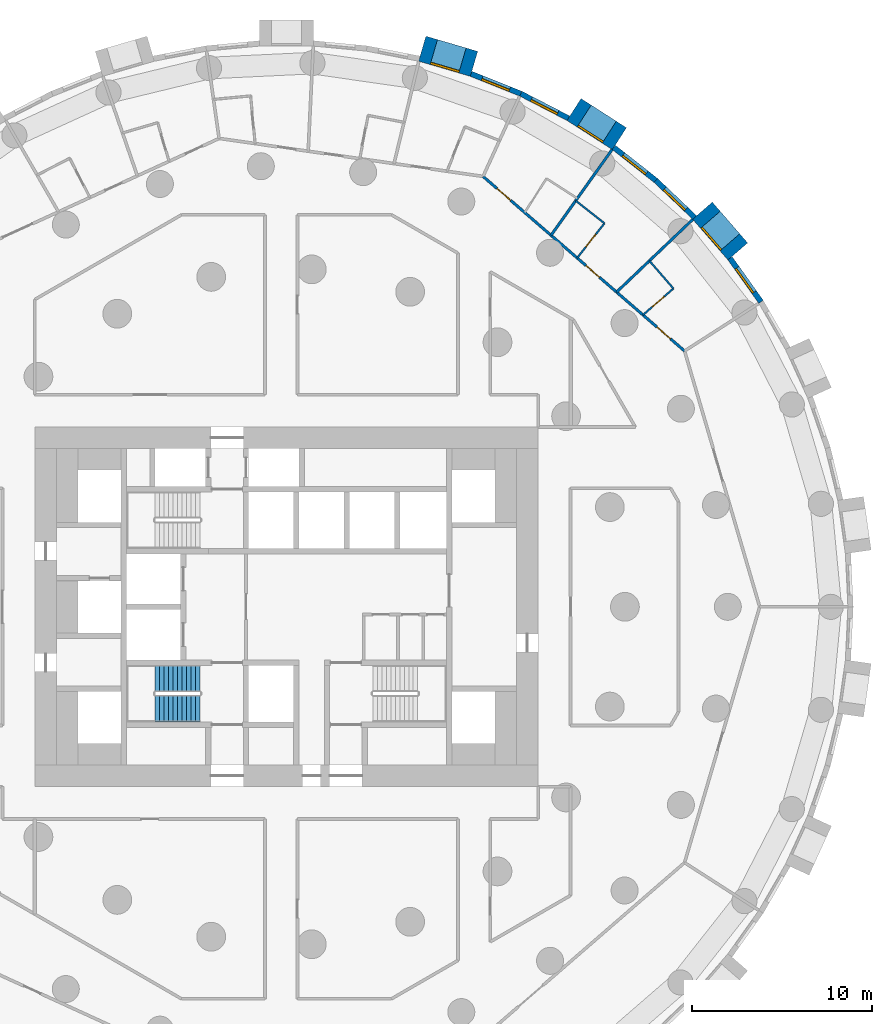
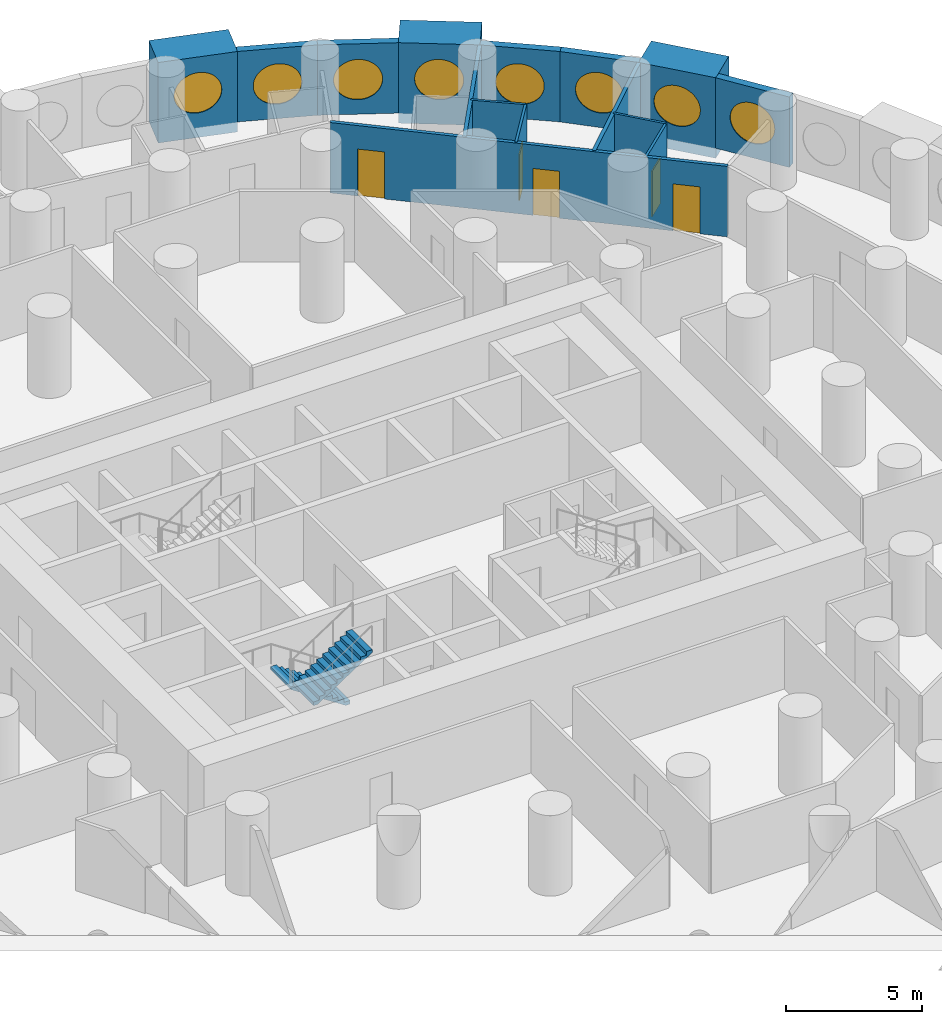
# One storey, part 10 of 12: 15 walls, 8 windows, 5 doors, 2 stair flights, 13 openings, 1 element without a shape of its own.
"""IFC4 building model written with IfcOpenShell, lengths in metres."""

from ifc_helpers import new_model, si_unit, direction, frame, frame_2d, origin, origin_2d, place, context, subcontext, project, spatial, polyline, rectangle, circle, outline, extrude, material, layer, layer_set, type_object, element, fill, aggregate, save


model = new_model("IFC4")

# Units and contexts
model_context = context("Model", 3, precision=1e-05, world=origin(), true_north=direction((0.0, 1.0)))
body_context = subcontext(model_context, "Body", "Model", "MODEL_VIEW")
ifc_project = project(units=[si_unit("LENGTHUNIT", "METRE"), si_unit("AREAUNIT", "SQUARE_METRE"), si_unit("VOLUMEUNIT", "CUBIC_METRE"), si_unit("PLANEANGLEUNIT", "RADIAN"), si_unit("MASSUNIT", "GRAM", prefix="KILO")], contexts=[model_context])

# Site, building, storey
site_placement = place(None, origin())
site = spatial("IfcSite", under=ifc_project, at=site_placement, CompositionType="ELEMENT")
building_placement = place(site_placement, origin())
building = spatial("IfcBuilding", under=site, at=building_placement, Name="Tracery Tower", CompositionType="ELEMENT")
storey_placement = place(building_placement, frame((0.0, 0.0, 57.0)))
storey = spatial("IfcBuildingStorey", under=building, at=storey_placement, Name="L13", CompositionType="ELEMENT", Elevation=57.0)

# Wall, opening, window
ifc_material_1 = material(Name="Precast concrete C50/60", Category="concrete")
ifc_layer_1 = layer(ifc_material_1, 1.449951171875)
ifc_layer_set_1 = layer_set([ifc_layer_1], Name="Deep-set bay unit 3000 x 3600, slab edge 450")
wall_type_1 = type_object("IfcWallType", Name="Deep-set bay unit 3000 x 3600, slab edge 450", PredefinedType="ELEMENTEDWALL", material=ifc_layer_set_1)
wall_1_placement = place(storey_placement, frame((25.101318359375, 19.765625, -0.449951171875), z_axis=(0.0, 0.0, 1.0), x_axis=(-0.654890259022, 0.75572398972, 0.0)))
wall_1 = element("IfcWall", 1, at=wall_1_placement, inside=storey, type_object=wall_type_1, Name="Deep-set bay unit 8 at L13", PredefinedType="ELEMENTEDWALL", context=body_context, shape_type="SweptSolid", body=[
    extrude(rectangle(XDim=3.0, YDim=1.449951171875, at=frame_2d((1.5, 0.0))), origin(), (0.0, 0.0, 1.0), 3.599853515625),
])
opening_1_placement = place(wall_1_placement, frame((1.5, 0.0, 2.0)))
opening_1 = element("IfcOpeningElement", 2, at=opening_1_placement, cuts=wall_1, Name="Opening WN1", PredefinedType="OPENING", context=body_context, shape_type="SweptSolid", body=[
    extrude(circle(Radius=0.9000244140625, at=origin_2d()), frame((0.0, 0.73486328125, 0.0), z_axis=(0.0, -1.0, 0.0), x_axis=(1.0, 0.0, 0.0)), (0.0, 0.0, 1.0), 1.469970703125),
])
ifc_material_2 = material(Name="Aluminium frame with tinted double glazing", Category="aluminium")
window_type = type_object("IfcWindowType", Name="Round window 1800", PartitioningType="SINGLE_PANEL", PredefinedType="WINDOW", material=ifc_material_2)
window_1_placement = place(opening_1_placement, origin())
window_1 = element("IfcWindow", 3, at=window_1_placement, inside=storey, type_object=window_type, Name="Round window 8 at L13", OverallHeight=1.800048828125, OverallWidth=1.800048828125, PartitioningType="SINGLE_PANEL", PredefinedType="WINDOW", context=body_context, shape_type="SweptSolid", body=[
    extrude(circle(Radius=0.9000244140625, at=origin_2d()), frame((0.0, 0.69482421875, 0.0), z_axis=(0.0, -1.0, 0.0), x_axis=(1.0, 0.0, 0.0)), (0.0, 0.0, 1.0), 0.10009765625),
])
fill(opening_1, window_1)

wall_2_placement = place(storey_placement, frame((18.515869140625, 26.03662109375, -0.449951171875), z_axis=(0.0, 0.0, 1.0), x_axis=(-0.841223422347, 0.540687667415, 0.0)))
wall_2 = element("IfcWall", 4, at=wall_2_placement, inside=storey, type_object=wall_type_1, Name="Deep-set bay unit 11 at L13", PredefinedType="ELEMENTEDWALL", context=body_context, shape_type="SweptSolid", body=[
    extrude(rectangle(XDim=3.0, YDim=1.449951171875, at=frame_2d((1.5, 0.0))), origin(), (0.0, 0.0, 1.0), 3.599853515625),
])
opening_2_placement = place(wall_2_placement, frame((1.5, 0.0, 2.0)))
opening_2 = element("IfcOpeningElement", 5, at=opening_2_placement, cuts=wall_2, Name="Opening WN1", PredefinedType="OPENING", context=body_context, shape_type="SweptSolid", body=[
    extrude(circle(Radius=0.9000244140625, at=origin_2d()), frame((0.0, 0.73486328125, 0.0), z_axis=(0.0, -1.0, 0.0), x_axis=(1.0, 0.0, 0.0)), (0.0, 0.0, 1.0), 1.469970703125),
])
window_2_placement = place(opening_2_placement, origin())
window_2 = element("IfcWindow", 6, at=window_2_placement, inside=storey, type_object=window_type, Name="Round window 11 at L13", OverallHeight=1.800048828125, OverallWidth=1.800048828125, PartitioningType="SINGLE_PANEL", PredefinedType="WINDOW", context=body_context, shape_type="SweptSolid", body=[
    extrude(circle(Radius=0.9000244140625, at=origin_2d()), frame((0.0, 0.69482421875, 0.0), z_axis=(0.0, -1.0, 0.0), x_axis=(1.0, 0.0, 0.0)), (0.0, 0.0, 1.0), 0.10009765625),
])
fill(opening_2, window_2)

wall_3_placement = place(storey_placement, frame((10.430419921875, 30.198486328125, -0.449951171875), z_axis=(0.0, 0.0, 1.0), x_axis=(-0.959489813418, 0.281743319258, 0.0)))
wall_3 = element("IfcWall", 7, at=wall_3_placement, inside=storey, type_object=wall_type_1, Name="Deep-set bay unit 14 at L13", PredefinedType="ELEMENTEDWALL", context=body_context, shape_type="SweptSolid", body=[
    extrude(rectangle(XDim=3.0, YDim=1.449951171875, at=frame_2d((1.5, 0.0))), origin(), (0.0, 0.0, 1.0), 3.599853515625),
])
opening_3_placement = place(wall_3_placement, frame((1.5, 0.0, 2.0)))
opening_3 = element("IfcOpeningElement", 8, at=opening_3_placement, cuts=wall_3, Name="Opening WN1", PredefinedType="OPENING", context=body_context, shape_type="SweptSolid", body=[
    extrude(circle(Radius=0.9000244140625, at=origin_2d()), frame((0.0, 0.73486328125, 0.0), z_axis=(0.0, -1.0, 0.0), x_axis=(1.0, 0.0, 0.0)), (0.0, 0.0, 1.0), 1.469970703125),
])
window_3_placement = place(opening_3_placement, origin())
window_3 = element("IfcWindow", 9, at=window_3_placement, inside=storey, type_object=window_type, Name="Round window 14 at L13", OverallHeight=1.800048828125, OverallWidth=1.800048828125, PartitioningType="SINGLE_PANEL", PredefinedType="WINDOW", context=body_context, shape_type="SweptSolid", body=[
    extrude(circle(Radius=0.9000244140625, at=origin_2d()), frame((0.0, 0.69482421875, 0.0), z_axis=(0.0, -1.0, 0.0), x_axis=(1.0, 0.0, 0.0)), (0.0, 0.0, 1.0), 0.10009765625),
])
fill(opening_3, window_3)

ifc_material_3 = material(Name="Precast concrete C50/60", Category="concrete")
ifc_layer_2 = layer(ifc_material_3, 0.300048828125)
ifc_layer_set_2 = layer_set([ifc_layer_2], Name="Facade panel 3000 x 3150")
wall_type_2 = type_object("IfcWallType", Name="Facade panel 3000 x 3150", PredefinedType="SOLIDWALL", material=ifc_layer_set_2)
wall_4_placement = place(storey_placement, frame((26.393798828125, 16.96240234375, 0.0), z_axis=(0.0, 0.0, 1.0), x_axis=(-0.580059407678, 0.81457417315, 0.0)))
wall_4 = element("IfcWall", 10, at=wall_4_placement, inside=storey, type_object=wall_type_2, Name="Facade panel 7 at L13", PredefinedType="SOLIDWALL", context=body_context, shape_type="SweptSolid", body=[
    extrude(rectangle(XDim=2.9794921875, YDim=0.300048828125, at=frame_2d((1.48974609375, 0.0))), origin(), (0.0, 0.0, 1.0), 3.14990234375),
])
opening_4_placement = place(wall_4_placement, frame((1.48974609375, 0.0, 1.5498046875)))
opening_4 = element("IfcOpeningElement", 11, at=opening_4_placement, cuts=wall_4, Name="Opening WN1", PredefinedType="OPENING", context=body_context, shape_type="SweptSolid", body=[
    extrude(circle(Radius=0.9000244140625, at=origin_2d()), frame((0.0, 0.159912109375, 0.0), z_axis=(0.0, -1.0, 0.0), x_axis=(1.0, 0.0, 0.0)), (0.0, 0.0, 1.0), 0.320068359375),
])
window_4_placement = place(opening_4_placement, origin())
window_4 = element("IfcWindow", 12, at=window_4_placement, inside=storey, type_object=window_type, Name="Round window 7 at L13", OverallHeight=1.800048828125, OverallWidth=1.800048828125, PartitioningType="SINGLE_PANEL", PredefinedType="WINDOW", context=body_context, shape_type="SweptSolid", body=[
    extrude(circle(Radius=0.9000244140625, at=origin_2d()), frame((0.0, 0.1201171875, 0.0), z_axis=(0.0, -1.0, 0.0), x_axis=(1.0, 0.0, 0.0)), (0.0, 0.0, 1.0), 0.10009765625),
])
fill(opening_4, window_4)

wall_5_placement = place(storey_placement, frame((22.702392578125, 21.655029296875, 0.0), z_axis=(0.0, 0.0, 1.0), x_axis=(-0.723744206617, 0.690068346896, 0.0)))
wall_5 = element("IfcWall", 13, at=wall_5_placement, inside=storey, type_object=wall_type_2, Name="Facade panel 9 at L13", PredefinedType="SOLIDWALL", context=body_context, shape_type="SweptSolid", body=[
    extrude(rectangle(XDim=2.979736328125, YDim=0.300048828125, at=frame_2d((1.48974609375, 0.0))), origin(), (0.0, 0.0, 1.0), 3.14990234375),
])
opening_5_placement = place(wall_5_placement, frame((1.48974609375, 0.0, 1.5498046875)))
opening_5 = element("IfcOpeningElement", 14, at=opening_5_placement, cuts=wall_5, Name="Opening WN1", PredefinedType="OPENING", context=body_context, shape_type="SweptSolid", body=[
    extrude(circle(Radius=0.9000244140625, at=origin_2d()), frame((0.0, 0.159912109375, 0.0), z_axis=(0.0, -1.0, 0.0), x_axis=(1.0, 0.0, 0.0)), (0.0, 0.0, 1.0), 0.320068359375),
])
window_5_placement = place(opening_5_placement, origin())
window_5 = element("IfcWindow", 15, at=window_5_placement, inside=storey, type_object=window_type, Name="Round window 9 at L13", OverallHeight=1.800048828125, OverallWidth=1.800048828125, PartitioningType="SINGLE_PANEL", PredefinedType="WINDOW", context=body_context, shape_type="SweptSolid", body=[
    extrude(circle(Radius=0.9000244140625, at=origin_2d()), frame((0.0, 0.1201171875, 0.0), z_axis=(0.0, -1.0, 0.0), x_axis=(1.0, 0.0, 0.0)), (0.0, 0.0, 1.0), 0.10009765625),
])
fill(opening_5, window_5)

wall_6_placement = place(storey_placement, frame((20.5458984375, 23.711181640625, 0.0), z_axis=(0.0, 0.0, 1.0), x_axis=(-0.786045331304, 0.618168858108, 0.0)))
wall_6 = element("IfcWall", 16, at=wall_6_placement, inside=storey, type_object=wall_type_2, Name="Facade panel 10 at L13", PredefinedType="SOLIDWALL", context=body_context, shape_type="SweptSolid", body=[
    extrude(rectangle(XDim=2.979736328125, YDim=0.300048828125, at=frame_2d((1.48974609375, 0.0))), origin(), (0.0, 0.0, 1.0), 3.14990234375),
])
opening_6_placement = place(wall_6_placement, frame((1.48974609375, 0.0, 1.5498046875)))
opening_6 = element("IfcOpeningElement", 17, at=opening_6_placement, cuts=wall_6, Name="Opening WN1", PredefinedType="OPENING", context=body_context, shape_type="SweptSolid", body=[
    extrude(circle(Radius=0.9000244140625, at=origin_2d()), frame((0.0, 0.159912109375, 0.0), z_axis=(0.0, -1.0, 0.0), x_axis=(1.0, 0.0, 0.0)), (0.0, 0.0, 1.0), 0.320068359375),
])
window_6_placement = place(opening_6_placement, origin())
window_6 = element("IfcWindow", 18, at=window_6_placement, inside=storey, type_object=window_type, Name="Round window 10 at L13", OverallHeight=1.800048828125, OverallWidth=1.800048828125, PartitioningType="SINGLE_PANEL", PredefinedType="WINDOW", context=body_context, shape_type="SweptSolid", body=[
    extrude(circle(Radius=0.9000244140625, at=origin_2d()), frame((0.0, 0.1201171875, 0.0), z_axis=(0.0, -1.0, 0.0), x_axis=(1.0, 0.0, 0.0)), (0.0, 0.0, 1.0), 0.10009765625),
])
fill(opening_6, window_6)

wall_7_placement = place(storey_placement, frame((15.681884765625, 27.173828125, 0.0), z_axis=(0.0, 0.0, 1.0), x_axis=(-0.888819853856, 0.458256770153, 0.0)))
wall_7 = element("IfcWall", 19, at=wall_7_placement, inside=storey, type_object=wall_type_2, Name="Facade panel 12 at L13", PredefinedType="SOLIDWALL", context=body_context, shape_type="SweptSolid", body=[
    extrude(rectangle(XDim=2.979736328125, YDim=0.300048828125, at=frame_2d((1.48974609375, 0.0))), origin(), (0.0, 0.0, 1.0), 3.14990234375),
])
opening_7_placement = place(wall_7_placement, frame((1.48974609375, 0.0, 1.5498046875)))
opening_7 = element("IfcOpeningElement", 20, at=opening_7_placement, cuts=wall_7, Name="Opening WN1", PredefinedType="OPENING", context=body_context, shape_type="SweptSolid", body=[
    extrude(circle(Radius=0.9000244140625, at=origin_2d()), frame((0.0, 0.159912109375, 0.0), z_axis=(0.0, -1.0, 0.0), x_axis=(1.0, 0.0, 0.0)), (0.0, 0.0, 1.0), 0.320068359375),
])
window_7_placement = place(opening_7_placement, origin())
window_7 = element("IfcWindow", 21, at=window_7_placement, inside=storey, type_object=window_type, Name="Round window 12 at L13", OverallHeight=1.800048828125, OverallWidth=1.800048828125, PartitioningType="SINGLE_PANEL", PredefinedType="WINDOW", context=body_context, shape_type="SweptSolid", body=[
    extrude(circle(Radius=0.9000244140625, at=origin_2d()), frame((0.0, 0.1201171875, 0.0), z_axis=(0.0, -1.0, 0.0), x_axis=(1.0, 0.0, 0.0)), (0.0, 0.0, 1.0), 0.10009765625),
])
fill(opening_7, window_7)

wall_8_placement = place(storey_placement, frame((13.033447265625, 28.539306640625, 0.0), z_axis=(0.0, 0.0, 1.0), x_axis=(-0.928403213937, 0.371574316054, 0.0)))
wall_8 = element("IfcWall", 22, at=wall_8_placement, inside=storey, type_object=wall_type_2, Name="Facade panel 13 at L13", PredefinedType="SOLIDWALL", context=body_context, shape_type="SweptSolid", body=[
    extrude(rectangle(XDim=2.979736328125, YDim=0.300048828125, at=frame_2d((1.48974609375, 0.0))), origin(), (0.0, 0.0, 1.0), 3.14990234375),
])
opening_8_placement = place(wall_8_placement, frame((1.48974609375, 0.0, 1.5498046875)))
opening_8 = element("IfcOpeningElement", 23, at=opening_8_placement, cuts=wall_8, Name="Opening WN1", PredefinedType="OPENING", context=body_context, shape_type="SweptSolid", body=[
    extrude(circle(Radius=0.9000244140625, at=origin_2d()), frame((0.0, 0.159912109375, 0.0), z_axis=(0.0, -1.0, 0.0), x_axis=(1.0, 0.0, 0.0)), (0.0, 0.0, 1.0), 0.320068359375),
])
window_8_placement = place(opening_8_placement, origin())
window_8 = element("IfcWindow", 24, at=window_8_placement, inside=storey, type_object=window_type, Name="Round window 13 at L13", OverallHeight=1.800048828125, OverallWidth=1.800048828125, PartitioningType="SINGLE_PANEL", PredefinedType="WINDOW", context=body_context, shape_type="SweptSolid", body=[
    extrude(circle(Radius=0.9000244140625, at=origin_2d()), frame((0.0, 0.1201171875, 0.0), z_axis=(0.0, -1.0, 0.0), x_axis=(1.0, 0.0, 0.0)), (0.0, 0.0, 1.0), 0.10009765625),
])
fill(opening_8, window_8)

# Wall, opening, door
ifc_material_4 = material(Name="Plasterboard on steel studs", Category="steel")
ifc_layer_3 = layer(ifc_material_4, 0.10009765625)
ifc_layer_set_3 = layer_set([ifc_layer_3], Name="Partition 100 wet wall")
wall_type_3 = type_object("IfcWallType", Name="Partition 100 wet wall", PredefinedType="PARTITIONING", material=ifc_layer_set_3)
wall_9_placement = place(storey_placement, frame((19.825927734375, 16.23388671875, 0.0), z_axis=(0.0, 0.0, 1.0), x_axis=(0.755703447798, 0.654913963042, 0.0)))
wall_9 = element("IfcWall", 25, at=wall_9_placement, inside=storey, type_object=wall_type_3, Name="Wet wall RA3-062", PredefinedType="PARTITIONING", context=body_context, shape_type="SweptSolid", body=[
    extrude(rectangle(XDim=2.242919921875, YDim=0.10009765625, at=frame_2d((1.12158203125, 0.0))), origin(), (0.0, 0.0, 1.0), 3.14990234375),
])
opening_9_placement = place(wall_9_placement, frame((0.6708984375, 0.0, 0.0)))
opening_9 = element("IfcOpeningElement", 26, at=opening_9_placement, cuts=wall_9, Name="Opening RA3-12", PredefinedType="OPENING", context=body_context, shape_type="SweptSolid", body=[
    extrude(rectangle(XDim=0.89990234375, YDim=2.0400390625, at=frame_2d((0.449951171875, 1.02001953125))), frame((0.0, 0.050048828125, 0.0), z_axis=(0.0, -1.0, 0.0), x_axis=(1.0, 0.0, 0.0)), (0.0, 0.0, 1.0), 0.10009765625),
])
ifc_material_5 = material(Name="Timber door leaf", Category="wood")
door_type_1 = type_object("IfcDoorType", Name="Door en-suite 900", OperationType="NOTDEFINED", PredefinedType="DOOR", material=ifc_material_5)
door_1_placement = place(opening_9_placement, origin())
door_1 = element("IfcDoor", 27, at=door_1_placement, inside=storey, type_object=door_type_1, Name="En-suite door RA3-12", OperationType="SINGLE_SWING_LEFT", OverallHeight=2.0400390625, OverallWidth=0.89990234375, PredefinedType="DOOR", context=body_context, shape_type="SweptSolid", body=[
    extrude(rectangle(XDim=0.89990234375, YDim=2.0400390625, at=frame_2d((0.449951171875, 1.02001953125))), frame((0.0, 0.02490234375, 0.0), z_axis=(0.0, -1.0, 0.0), x_axis=(1.0, 0.0, 0.0)), (0.0, 0.0, 1.0), 0.050048828125),
])
fill(opening_9, door_1)

# Wall
wall_10_placement = place(storey_placement, frame((20.18408203125, 19.2451171875, 0.0), z_axis=(0.0, 0.0, 1.0), x_axis=(0.655017058368, -0.755614090159, 0.0)))
element("IfcWall", 28, at=wall_10_placement, inside=storey, type_object=wall_type_3, Name="Wet wall RA3-063", PredefinedType="PARTITIONING", context=body_context, shape_type="SweptSolid", body=[
    extrude(rectangle(XDim=2.041015625, YDim=0.10009765625, at=frame_2d((1.0205078125, 0.0))), origin(), (0.0, 0.0, 1.0), 3.14990234375),
])

# Wall, opening, door
wall_11_placement = place(storey_placement, frame((16.16796875, 19.404052734375, 0.0), z_axis=(0.0, 0.0, 1.0), x_axis=(0.618142414415, 0.786066126672, 0.0)))
wall_11 = element("IfcWall", 29, at=wall_11_placement, inside=storey, type_object=wall_type_3, Name="Wet wall RA3-065", PredefinedType="PARTITIONING", context=body_context, shape_type="SweptSolid", body=[
    extrude(rectangle(XDim=2.45263671875, YDim=0.10009765625, at=frame_2d((1.226318359375, 0.0))), origin(), (0.0, 0.0, 1.0), 3.14990234375),
])
opening_10_placement = place(wall_11_placement, frame((0.77587890625, 0.0, 0.0)))
opening_10 = element("IfcOpeningElement", 30, at=opening_10_placement, cuts=wall_11, Name="Opening RA3-14", PredefinedType="OPENING", context=body_context, shape_type="SweptSolid", body=[
    extrude(rectangle(XDim=0.89990234375, YDim=2.0400390625, at=frame_2d((0.449951171875, 1.02001953125))), frame((0.0, 0.050048828125, 0.0), z_axis=(0.0, -1.0, 0.0), x_axis=(1.0, 0.0, 0.0)), (0.0, 0.0, 1.0), 0.10009765625),
])
door_2_placement = place(opening_10_placement, origin())
door_2 = element("IfcDoor", 31, at=door_2_placement, inside=storey, type_object=door_type_1, Name="En-suite door RA3-14", OperationType="SINGLE_SWING_LEFT", OverallHeight=2.0400390625, OverallWidth=0.89990234375, PredefinedType="DOOR", context=body_context, shape_type="SweptSolid", body=[
    extrude(rectangle(XDim=0.89990234375, YDim=2.0400390625, at=frame_2d((0.449951171875, 1.02001953125))), frame((0.0, 0.02490234375, 0.0), z_axis=(0.0, -1.0, 0.0), x_axis=(1.0, 0.0, 0.0)), (0.0, 0.0, 1.0), 0.050048828125),
])
fill(opening_10, door_2)

# Walls
wall_12_placement = place(storey_placement, frame((16.0859375, 22.589111328125, 0.0), z_axis=(0.0, 0.0, 1.0), x_axis=(0.785984904201, -0.618245687707, 0.0)))
element("IfcWall", 32, at=wall_12_placement, inside=storey, type_object=wall_type_3, Name="Wet wall RA3-066", PredefinedType="PARTITIONING", context=body_context, shape_type="SweptSolid", body=[
    extrude(rectangle(XDim=2.033203125, YDim=0.10009765625, at=frame_2d((1.0166015625, 0.0))), origin(), (0.0, 0.0, 1.0), 3.14990234375),
])
ifc_material_6 = material(Name="Plasterboard on steel studs", Category="steel")
ifc_layer_4 = layer(ifc_material_6, 0.14990234375)
ifc_layer_set_4 = layer_set([ifc_layer_4], Name="Partition 150 acoustic unit wall")
wall_type_4 = type_object("IfcWallType", Name="Partition 150 acoustic unit wall", PredefinedType="PARTITIONING", material=ifc_layer_set_4)
wall_13_placement = place(storey_placement, frame((18.360107421875, 17.5048828125, 0.0), z_axis=(0.0, 0.0, 1.0), x_axis=(0.723605349213, 0.690213951315, 0.0)))
element("IfcWall", 33, at=wall_13_placement, inside=storey, type_object=wall_type_4, Name="Unit wall RA3-064", PredefinedType="PARTITIONING", context=body_context, shape_type="SweptSolid", body=[
    extrude(rectangle(XDim=5.8564453125, YDim=0.14990234375, at=frame_2d((2.92822265625, 0.0))), origin(), (0.0, 0.0, 1.0), 3.14990234375),
])
wall_14_placement = place(storey_placement, frame((14.71533203125, 20.663818359375, 0.0), z_axis=(0.0, 0.0, 1.0), x_axis=(0.57995989616, 0.814645026282, 0.0)))
element("IfcWall", 34, at=wall_14_placement, inside=storey, type_object=wall_type_4, Name="Unit wall RA3-067", PredefinedType="PARTITIONING", context=body_context, shape_type="SweptSolid", body=[
    extrude(rectangle(XDim=5.85693359375, YDim=0.14990234375, at=frame_2d((2.928466796875, 0.0))), origin(), (0.0, 0.0, 1.0), 3.14990234375),
])

# Wall, openings, doors
ifc_material_7 = material(Name="Plasterboard on steel studs", Category="steel")
ifc_layer_5 = layer(ifc_material_7, 0.14990234375)
ifc_layer_set_5 = layer_set([ifc_layer_5], Name="Partition 150 corridor wall")
wall_type_5 = type_object("IfcWallType", Name="Partition 150 corridor wall", PredefinedType="PARTITIONING", material=ifc_layer_set_5)
wall_15_placement = place(storey_placement, frame((10.93212890625, 23.93896484375, 0.0), z_axis=(0.0, 0.0, 1.0), x_axis=(0.755838982892, -0.654757536757, 0.0)))
wall_15 = element("IfcWall", 35, at=wall_15_placement, inside=storey, type_object=wall_type_5, Name="Corridor wall RA3-022", PredefinedType="PARTITIONING", context=body_context, shape_type="SweptSolid", body=[
    extrude(rectangle(XDim=14.829833984375, YDim=0.14990234375, at=frame_2d((7.4150390625, 0.0))), origin(), (0.0, 0.0, 1.0), 3.14990234375),
])
opening_11_placement = place(wall_15_placement, frame((12.7958984375, 0.0, 0.0)))
opening_11 = element("IfcOpeningElement", 36, at=opening_11_placement, cuts=wall_15, Name="Opening RA3-13", PredefinedType="OPENING", context=body_context, shape_type="SweptSolid", body=[
    extrude(rectangle(XDim=1.0, YDim=2.10009765625, at=frame_2d((0.5, 1.050048828125))), frame((0.0, 0.074951171875, 0.0), z_axis=(0.0, -1.0, 0.0), x_axis=(1.0, 0.0, 0.0)), (0.0, 0.0, 1.0), 0.14990234375),
])
opening_12_placement = place(wall_15_placement, frame((7.571533203125, 0.0, 0.0)))
opening_12 = element("IfcOpeningElement", 37, at=opening_12_placement, cuts=wall_15, Name="Opening RA3-15", PredefinedType="OPENING", context=body_context, shape_type="SweptSolid", body=[
    extrude(rectangle(XDim=1.0, YDim=2.10009765625, at=frame_2d((0.5, 1.050048828125))), frame((0.0, 0.074951171875, 0.0), z_axis=(0.0, -1.0, 0.0), x_axis=(1.0, 0.0, 0.0)), (0.0, 0.0, 1.0), 0.14990234375),
])
opening_13_placement = place(wall_15_placement, frame((1.032958984375, 0.0, 0.0)))
opening_13 = element("IfcOpeningElement", 38, at=opening_13_placement, cuts=wall_15, Name="Opening RA3-17", PredefinedType="OPENING", context=body_context, shape_type="SweptSolid", body=[
    extrude(rectangle(XDim=1.0, YDim=2.10009765625, at=frame_2d((0.5, 1.050048828125))), frame((0.0, 0.074951171875, 0.0), z_axis=(0.0, -1.0, 0.0), x_axis=(1.0, 0.0, 0.0)), (0.0, 0.0, 1.0), 0.14990234375),
])
ifc_material_8 = material(Name="Timber door leaf", Category="wood")
door_type_2 = type_object("IfcDoorType", Name="Door unit entrance 1000", OperationType="NOTDEFINED", PredefinedType="DOOR", material=ifc_material_8)
door_3_placement = place(opening_11_placement, origin())
door_3 = element("IfcDoor", 39, at=door_3_placement, inside=storey, type_object=door_type_2, Name="Unit entrance door RA3-13", OperationType="SINGLE_SWING_LEFT", OverallHeight=2.10009765625, OverallWidth=1.0, PredefinedType="DOOR", context=body_context, shape_type="SweptSolid", body=[
    extrude(rectangle(XDim=1.0, YDim=2.10009765625, at=frame_2d((0.5, 1.050048828125))), frame((0.0, 0.02490234375, 0.0), z_axis=(0.0, -1.0, 0.0), x_axis=(1.0, 0.0, 0.0)), (0.0, 0.0, 1.0), 0.050048828125),
])
fill(opening_11, door_3)
door_4_placement = place(opening_12_placement, origin())
door_4 = element("IfcDoor", 40, at=door_4_placement, inside=storey, type_object=door_type_2, Name="Unit entrance door RA3-15", OperationType="SINGLE_SWING_LEFT", OverallHeight=2.10009765625, OverallWidth=1.0, PredefinedType="DOOR", context=body_context, shape_type="SweptSolid", body=[
    extrude(rectangle(XDim=1.0, YDim=2.10009765625, at=frame_2d((0.5, 1.050048828125))), frame((0.0, 0.02490234375, 0.0), z_axis=(0.0, -1.0, 0.0), x_axis=(1.0, 0.0, 0.0)), (0.0, 0.0, 1.0), 0.050048828125),
])
fill(opening_12, door_4)
door_5_placement = place(opening_13_placement, origin())
door_5 = element("IfcDoor", 41, at=door_5_placement, inside=storey, type_object=door_type_2, Name="Unit entrance door RA3-17", OperationType="SINGLE_SWING_LEFT", OverallHeight=2.10009765625, OverallWidth=1.0, PredefinedType="DOOR", context=body_context, shape_type="SweptSolid", body=[
    extrude(rectangle(XDim=1.0, YDim=2.10009765625, at=frame_2d((0.5, 1.050048828125))), frame((0.0, 0.02490234375, 0.0), z_axis=(0.0, -1.0, 0.0), x_axis=(1.0, 0.0, 0.0)), (0.0, 0.0, 1.0), 0.050048828125),
])
fill(opening_13, door_5)

# Stair, stair flights
ifc_material_9 = material(Name="Concrete C32/40", Category="concrete")
stair_type = type_object("IfcStairType", Name="Core stair 22 risers", PredefinedType="HALF_TURN_STAIR", material=ifc_material_9)
stair_placement = place(storey_placement, origin())
stair = element("IfcStair", 42, at=stair_placement, inside=storey, type_object=stair_type, Name="L13 stair ST1", PredefinedType="HALF_TURN_STAIR")
ifc_material_10 = material(Name="Concrete C32/40", Category="concrete")
stair_flight_type = type_object("IfcStairFlightType", Name="Core stair flight 11 risers", PredefinedType="STRAIGHT", material=ifc_material_10)
stair_flight_1_placement = place(storey_placement, frame((-4.800048828125, -4.0, 0.0), z_axis=(0.0, 0.0, 1.0), x_axis=(-1.0, 0.0, 0.0)))
stair_flight_1 = element("IfcStairFlight", 43, at=stair_flight_1_placement, type_object=stair_flight_type, Name="ST1 flight 1", NumberOfRisers=11, NumberOfTreads=10, PredefinedType="STRAIGHT", RiserHeight=0.163636364, TreadLength=0.25, context=body_context, shape_type="SweptSolid", body=[
    extrude(outline(polyline([(0.0, 0.0), (0.0, 0.002685546875), (0.0, 0.00537109375), (0.0, 0.008056640625), (0.0, 0.0107421875), (0.0, 0.013427734375), (0.0, 0.01611328125), (0.0, 0.018798828125), (0.0, 0.021484375), (0.0, 0.024169921875), (0.0, 0.02685546875), (0.0, 0.029541015625), (0.0, 0.0322265625), (0.0, 0.034912109375), (0.0, 0.03759765625), (0.0, 0.040283203125), (0.0, 0.04296875), (0.0, 0.045654296875), (0.0, 0.04833984375), (0.0, 0.051025390625), (0.0, 0.0537109375), (0.0, 0.056396484375), (0.0, 0.05908203125), (0.0, 0.061767578125), (0.0, 0.064453125), (0.0, 0.067138671875), (0.0, 0.06982421875), (0.0, 0.072509765625), (0.0, 0.0751953125), (0.0, 0.077880859375), (0.0, 0.08056640625), (0.0, 0.083251953125), (0.0, 0.0859375), (0.0, 0.088623046875), (0.0, 0.09130859375), (0.0, 0.093994140625), (0.0, 0.0966796875), (0.0, 0.099365234375), (0.0, 0.10205078125), (0.0, 0.104736328125), (0.0, 0.107421875), (0.0, 0.10986328125), (0.0, 0.112548828125), (0.0, 0.115234375), (0.0, 0.117919921875), (0.0, 0.12060546875), (0.0, 0.123291015625), (0.0, 0.1259765625), (0.0, 0.128662109375), (0.0, 0.13134765625), (0.0, 0.134033203125), (0.0, 0.13671875), (0.0, 0.139404296875), (0.0, 0.14208984375), (0.0, 0.144775390625), (0.0, 0.1474609375), (0.0, 0.150146484375), (0.0, 0.15283203125), (0.0, 0.155517578125), (0.0, 0.158203125), (0.0, 0.160888671875), (0.0, 0.16357421875), (0.25, 0.16357421875), (0.25, 0.327392578125), (0.5, 0.327392578125), (0.5, 0.490966796875), (0.75, 0.490966796875), (0.75, 0.654541015625), (1.0, 0.654541015625), (1.0, 0.818115234375), (1.25, 0.818115234375), (1.25, 0.98193359375), (1.5, 0.98193359375), (1.5, 1.1455078125), (1.75, 1.1455078125), (1.75, 1.30908203125), (2.0, 1.30908203125), (2.0, 1.47265625), (2.25, 1.47265625), (2.25, 1.636474609375), (2.5, 1.636474609375), (2.5, 1.634521484375), (2.5, 1.63232421875), (2.5, 1.63037109375), (2.5, 1.62841796875), (2.5, 1.62646484375), (2.5, 1.62451171875), (2.5, 1.62255859375), (2.5, 1.62060546875), (2.5, 1.61865234375), (2.5, 1.61669921875), (2.5, 1.61474609375), (2.5, 1.61279296875), (2.5, 1.61083984375), (2.5, 1.60888671875), (2.5, 1.60693359375), (2.5, 1.60498046875), (2.5, 1.60302734375), (2.5, 1.60107421875), (2.5, 1.59912109375), (2.5, 1.59716796875), (2.5, 1.59521484375), (2.5, 1.59326171875), (2.5, 1.59130859375), (2.5, 1.58935546875), (2.5, 1.58740234375), (2.5, 1.58544921875), (2.5, 1.58349609375), (2.5, 1.58154296875), (2.5, 1.57958984375), (2.5, 1.57763671875), (2.5, 1.57568359375), (2.5, 1.573486328125), (2.5, 1.571533203125), (2.5, 1.569580078125), (2.5, 1.567626953125), (2.5, 1.565673828125), (2.5, 1.563720703125), (2.5, 1.561767578125), (2.5, 1.559814453125), (2.5, 1.557861328125), (2.5, 1.555908203125), (2.5, 1.553955078125), (2.5, 1.552001953125), (2.5, 1.550048828125), (2.5, 1.548095703125), (2.5, 1.546142578125), (2.5, 1.544189453125), (2.5, 1.542236328125), (2.5, 1.540283203125), (2.5, 1.538330078125), (2.5, 1.536376953125), (2.5, 1.534423828125), (2.5, 1.532470703125), (2.5, 1.530517578125), (2.5, 1.528564453125), (2.5, 1.526611328125), (2.5, 1.524658203125), (2.5, 1.522705078125), (2.5, 1.520751953125), (2.5, 1.518798828125), (2.5, 1.516845703125), (0.182861328125, 0.0), (0.0, 0.0)])), frame((0.0, 0.75, 0.0), z_axis=(0.0, -1.0, 0.0), x_axis=(1.0, 0.0, 0.0)), (0.0, 0.0, 1.0), 1.5),
])
stair_flight_2_placement = place(storey_placement, frame((-7.300048828125, -5.64990234375, 1.800048828125), z_axis=(0.0, 0.0, 1.0), x_axis=(1.0, 0.0, 0.0)))
stair_flight_2 = element("IfcStairFlight", 44, at=stair_flight_2_placement, type_object=stair_flight_type, Name="ST1 flight 2", NumberOfRisers=11, NumberOfTreads=10, PredefinedType="STRAIGHT", RiserHeight=0.163636364, TreadLength=0.25, context=body_context, shape_type="SweptSolid", body=[
    extrude(outline(polyline([(0.0, 0.0), (0.0, 0.002685546875), (0.0, 0.00537109375), (0.0, 0.008056640625), (0.0, 0.0107421875), (0.0, 0.013427734375), (0.0, 0.01611328125), (0.0, 0.018798828125), (0.0, 0.021484375), (0.0, 0.024169921875), (0.0, 0.02685546875), (0.0, 0.029541015625), (0.0, 0.0322265625), (0.0, 0.034912109375), (0.0, 0.03759765625), (0.0, 0.040283203125), (0.0, 0.04296875), (0.0, 0.045654296875), (0.0, 0.04833984375), (0.0, 0.051025390625), (0.0, 0.0537109375), (0.0, 0.056396484375), (0.0, 0.05908203125), (0.0, 0.061767578125), (0.0, 0.064453125), (0.0, 0.067138671875), (0.0, 0.06982421875), (0.0, 0.072509765625), (0.0, 0.0751953125), (0.0, 0.077880859375), (0.0, 0.08056640625), (0.0, 0.083251953125), (0.0, 0.0859375), (0.0, 0.088623046875), (0.0, 0.09130859375), (0.0, 0.093994140625), (0.0, 0.0966796875), (0.0, 0.099365234375), (0.0, 0.10205078125), (0.0, 0.104736328125), (0.0, 0.107421875), (0.0, 0.10986328125), (0.0, 0.112548828125), (0.0, 0.115234375), (0.0, 0.117919921875), (0.0, 0.12060546875), (0.0, 0.123291015625), (0.0, 0.1259765625), (0.0, 0.128662109375), (0.0, 0.13134765625), (0.0, 0.134033203125), (0.0, 0.13671875), (0.0, 0.139404296875), (0.0, 0.14208984375), (0.0, 0.144775390625), (0.0, 0.1474609375), (0.0, 0.150146484375), (0.0, 0.15283203125), (0.0, 0.155517578125), (0.0, 0.158203125), (0.0, 0.160888671875), (0.0, 0.16357421875), (0.25, 0.16357421875), (0.25, 0.327392578125), (0.5, 0.327392578125), (0.5, 0.490966796875), (0.75, 0.490966796875), (0.75, 0.654541015625), (1.0, 0.654541015625), (1.0, 0.818115234375), (1.25, 0.818115234375), (1.25, 0.98193359375), (1.5, 0.98193359375), (1.5, 1.1455078125), (1.75, 1.1455078125), (1.75, 1.30908203125), (2.0, 1.30908203125), (2.0, 1.47265625), (2.25, 1.47265625), (2.25, 1.636474609375), (2.5, 1.636474609375), (2.5, 1.634521484375), (2.5, 1.63232421875), (2.5, 1.63037109375), (2.5, 1.62841796875), (2.5, 1.62646484375), (2.5, 1.62451171875), (2.5, 1.62255859375), (2.5, 1.62060546875), (2.5, 1.61865234375), (2.5, 1.61669921875), (2.5, 1.61474609375), (2.5, 1.61279296875), (2.5, 1.61083984375), (2.5, 1.60888671875), (2.5, 1.60693359375), (2.5, 1.60498046875), (2.5, 1.60302734375), (2.5, 1.60107421875), (2.5, 1.59912109375), (2.5, 1.59716796875), (2.5, 1.59521484375), (2.5, 1.59326171875), (2.5, 1.59130859375), (2.5, 1.58935546875), (2.5, 1.58740234375), (2.5, 1.58544921875), (2.5, 1.58349609375), (2.5, 1.58154296875), (2.5, 1.57958984375), (2.5, 1.57763671875), (2.5, 1.57568359375), (2.5, 1.573486328125), (2.5, 1.571533203125), (2.5, 1.569580078125), (2.5, 1.567626953125), (2.5, 1.565673828125), (2.5, 1.563720703125), (2.5, 1.561767578125), (2.5, 1.559814453125), (2.5, 1.557861328125), (2.5, 1.555908203125), (2.5, 1.553955078125), (2.5, 1.552001953125), (2.5, 1.550048828125), (2.5, 1.548095703125), (2.5, 1.546142578125), (2.5, 1.544189453125), (2.5, 1.542236328125), (2.5, 1.540283203125), (2.5, 1.538330078125), (2.5, 1.536376953125), (2.5, 1.534423828125), (2.5, 1.532470703125), (2.5, 1.530517578125), (2.5, 1.528564453125), (2.5, 1.526611328125), (2.5, 1.524658203125), (2.5, 1.522705078125), (2.5, 1.520751953125), (2.5, 1.518798828125), (2.5, 1.516845703125), (0.182861328125, 0.0), (0.0, 0.0)])), frame((0.0, 0.75, 0.0), z_axis=(0.0, -1.0, 0.0), x_axis=(1.0, 0.0, 0.0)), (0.0, 0.0, 1.0), 1.5),
])
aggregate(stair, [stair_flight_1, stair_flight_2])

save(model, "model.ifc")
